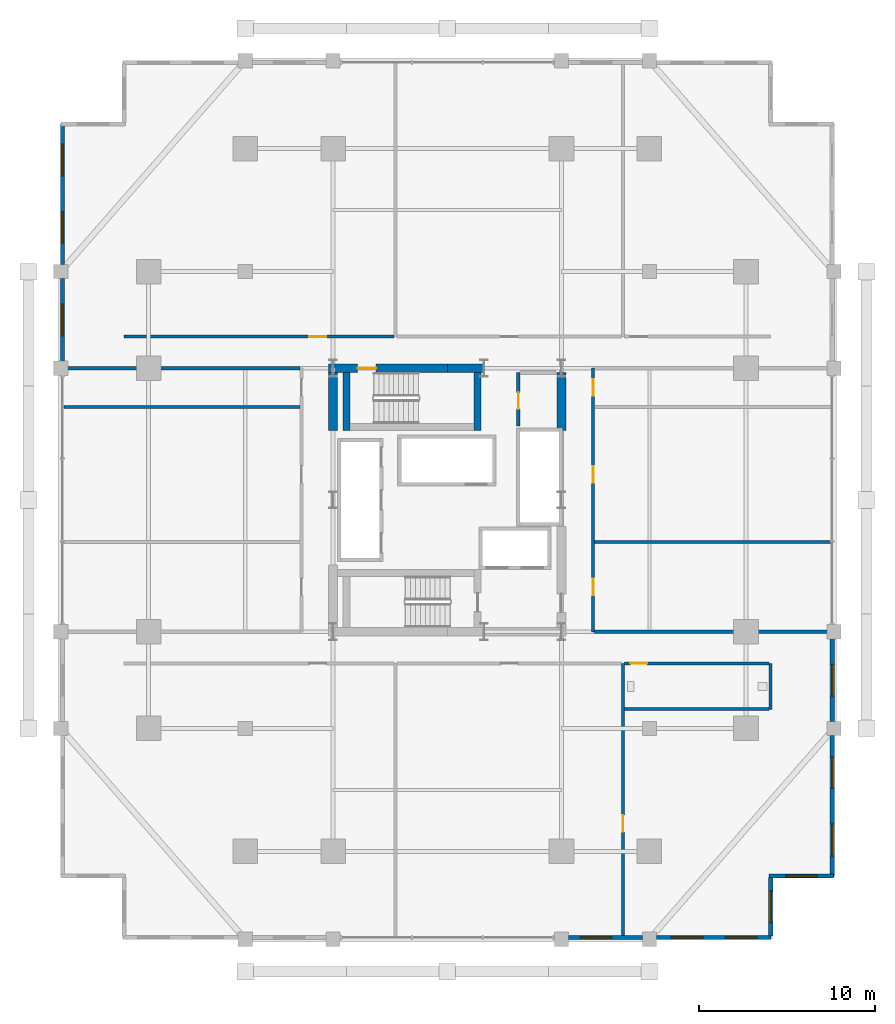
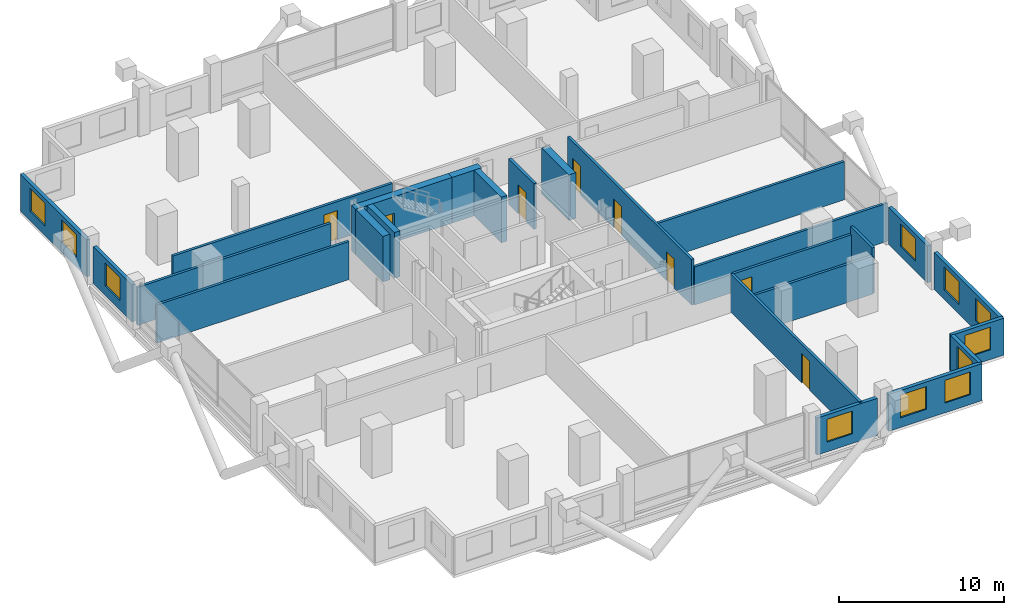
# One storey, part 18 of 21: 25 walls, 11 windows, 8 doors, 19 openings.
"""IFC4 building model written with IfcOpenShell, lengths in metres."""

import ifcopenshell
import ifcopenshell.guid

model = None  # the IFC model being written
_history = None  # IfcOwnerHistory: only IFC2X3 demands one
_inside = {}  # id of a spatial element -> (the spatial element, [elements in it])
_under = {}  # id of a project, library or spatial element -> (it, [spatial elements below it])
_declared = {}  # id of a project -> (the project, [libraries it declares])
_typed = {}  # id of a type object -> (the type object, [elements of that type])
_made_of = {}  # id of a material, layer set ... -> (it, [elements and type objects made of it])


def new_model(schema):
    """Start an empty IFC model of exactly this schema.

    Asked for "IFC4X3", IfcOpenShell would pick the latest addendum, in which some entities
    have other attributes; the version numbers below select the first issue.
    IFC2X3 requires an IfcOwnerHistory on every rooted entity: one is made here for all.
    """
    global model, _history
    if schema == "IFC4X3":
        model = ifcopenshell.file(schema_version=(4, 3, 0, 0))
    else:
        model = ifcopenshell.file(schema=schema)
    _inside.clear()
    _under.clear()
    _declared.clear()
    _typed.clear()
    _made_of.clear()
    _history = None
    if model.schema == "IFC2X3":
        org = make("IfcOrganization", Name="unknown")
        user = make(
            "IfcPersonAndOrganization",
            ThePerson=make("IfcPerson", FamilyName="unknown"),
            TheOrganization=org,
        )
        app = make(
            "IfcApplication",
            ApplicationDeveloper=org,
            Version="unknown",
            ApplicationFullName="unknown",
            ApplicationIdentifier="unknown",
        )
        _history = make(
            "IfcOwnerHistory",
            OwningUser=user,
            OwningApplication=app,
            ChangeAction="ADDED",
            CreationDate=0,
        )
    return model


def make(cls, **values):
    """One entity of the class cls with the attributes given. An attribute that is None is left unset."""
    return model.create_entity(
        cls, **{name: value for name, value in values.items() if value is not None}
    )


def rooted(cls, **values):
    """An entity with a GlobalId (a new one), such as an element, a storey or a relation."""
    return make(cls, GlobalId=ifcopenshell.guid.new(), OwnerHistory=_history, **values)


def si_unit(unit_type, name, prefix=None):
    """IfcSIUnit, for example si_unit("LENGTHUNIT", "METRE", prefix="MILLI")."""
    return make("IfcSIUnit", UnitType=unit_type, Prefix=prefix, Name=name)


def assignment(units):
    """IfcUnitAssignment: the units of a project."""
    return None if units is None else make("IfcUnitAssignment", Units=units)


def point(xyz):
    """IfcCartesianPoint."""
    return None if xyz is None else make("IfcCartesianPoint", Coordinates=xyz)


def direction(xyz):
    """IfcDirection."""
    return None if xyz is None else make("IfcDirection", DirectionRatios=xyz)


def frame(location, z_axis=None, x_axis=None):
    """IfcAxis2Placement3D, a coordinate frame: its origin and axes. An axis left out is left unset."""
    return make(
        "IfcAxis2Placement3D",
        Location=point(location),
        Axis=direction(z_axis),
        RefDirection=direction(x_axis),
    )


def frame_2d(location, x_axis=None):
    """IfcAxis2Placement2D, a coordinate frame in the plane: its origin and x axis."""
    return make(
        "IfcAxis2Placement2D", Location=point(location), RefDirection=direction(x_axis)
    )


def origin():
    """The frame at (0, 0, 0) with its axes left unset."""
    return frame((0.0, 0.0, 0.0))


def place(relative_to, where):
    """IfcLocalPlacement: puts the frame where relative to a parent placement (None: the world)."""
    return make(
        "IfcLocalPlacement", PlacementRelTo=relative_to, RelativePlacement=where
    )


def context(
    kind, dimensions, precision=None, world=None, true_north=None, identifier=None
):
    """IfcGeometricRepresentationContext, for example the 3D "Model" context."""
    return make(
        "IfcGeometricRepresentationContext",
        ContextIdentifier=identifier,
        ContextType=kind,
        CoordinateSpaceDimension=dimensions,
        Precision=precision,
        WorldCoordinateSystem=world,
        TrueNorth=true_north,
    )


def subcontext(parent, identifier, kind, view, scale=None):
    """IfcGeometricRepresentationSubContext, for example "Body" below "Model"."""
    return make(
        "IfcGeometricRepresentationSubContext",
        ContextIdentifier=identifier,
        ContextType=kind,
        ParentContext=parent,
        TargetScale=scale,
        TargetView=view,
    )


def project(units=None, contexts=None):
    """IfcProject with its units and contexts."""
    return rooted(
        "IfcProject",
        Name="project",
        RepresentationContexts=contexts,
        UnitsInContext=assignment(units),
    )


def spatial(cls, under=None, at=None, **own):
    """A site, building, storey or space (cls), placed at a placement, below another one or the project."""
    s = rooted(cls, ObjectPlacement=at, **own)
    if under is not None:
        _under.setdefault(under.id(), (under, []))[1].append(s)
    return s


def profile(cls, at=None, kind="AREA", **sizes):
    """A parametric profile (cls). Its sizes go by their IFC names, for example OverallWidth=200.0."""
    return make(cls, ProfileType=kind, Position=at, **sizes)


def rectangle(**sizes):
    """IfcRectangleProfileDef."""
    return profile("IfcRectangleProfileDef", **sizes)


def extrude(swept, where, along, depth):
    """IfcExtrudedAreaSolid: the profile swept, set in the frame where, extruded along a direction by depth."""
    return make(
        "IfcExtrudedAreaSolid",
        SweptArea=swept,
        Position=where,
        ExtrudedDirection=direction(along),
        Depth=depth,
    )


def shape(context_of_items, identifier, shape_type, items):
    """IfcShapeRepresentation: the items that make up one representation, for example the "Body"."""
    return make(
        "IfcShapeRepresentation",
        ContextOfItems=context_of_items,
        RepresentationIdentifier=identifier,
        RepresentationType=shape_type,
        Items=items,
    )


def material(Name=None, Category=None):
    """IfcMaterial."""
    return make("IfcMaterial", Name=Name, Category=Category)


def layer(
    of_material, thickness, ventilated=None, Name=None, Category=None, Priority=None
):
    """IfcMaterialLayer: one layer of a wall or slab, of a material (None: an air gap)."""
    return make(
        "IfcMaterialLayer",
        Material=of_material,
        LayerThickness=thickness,
        IsVentilated=ventilated,
        Name=Name,
        Category=Category,
        Priority=Priority,
    )


def layer_set(layers, Name=None):
    """IfcMaterialLayerSet."""
    return make("IfcMaterialLayerSet", MaterialLayers=layers, LayerSetName=Name)


def made_of(thing, what):
    """Note that an element or type object is made of a material, layer set ...; save() writes the relation."""
    if what is not None:
        _made_of.setdefault(what.id(), (what, []))[1].append(thing)
    return thing


def type_object(cls, material=None, **own):
    """A type object (cls), such as IfcWallType, which elements share."""
    return made_of(rooted(cls, **own), material)


def element(
    cls,
    number,
    at=None,
    inside=None,
    cuts=None,
    type_object=None,
    material=None,
    context=None,
    identifier="Body",
    shape_type=None,
    held_by="IfcProductDefinitionShape",
    body=None,
    shapes=None,
    **own,
):
    """One element of the class cls, such as IfcWall. Its Tag is "e" and its number.

    at: its placement. inside: the storey or other place that contains it. cuts: it is an
    opening in that element (IfcRelVoidsElement). A single representation is given by context,
    identifier, shape_type and body (its items); several are given by shapes. held_by: the class
    of the entity that holds the representations. save() writes the other relations.
    """
    e = rooted(cls, Tag="e%d" % number, ObjectPlacement=at, **own)
    if body is not None:
        shapes = [shape(context, identifier, shape_type, body)]
    if shapes is not None:
        e.Representation = make(held_by, Representations=shapes)
    if inside is not None:
        _inside.setdefault(inside.id(), (inside, []))[1].append(e)
    if cuts is not None:
        rooted(
            "IfcRelVoidsElement", RelatingBuildingElement=cuts, RelatedOpeningElement=e
        )
    if type_object is not None:
        _typed.setdefault(type_object.id(), (type_object, []))[1].append(e)
    return made_of(e, material)


def fill(opening, filler):
    """IfcRelFillsElement: the door or window that sits in an opening."""
    return rooted(
        "IfcRelFillsElement",
        RelatingOpeningElement=opening,
        RelatedBuildingElement=filler,
    )


def aggregate(whole, parts):
    """IfcRelAggregates: a whole, such as a stair, and the parts it consists of."""
    return rooted("IfcRelAggregates", RelatingObject=whole, RelatedObjects=parts)


def save(model, path):
    """Write the relations noted so far, then the file.

    IfcRelAggregates (storeys below a building ...), IfcRelContainedInSpatialStructure (elements
    in a storey), IfcRelDefinesByType, IfcRelAssociatesMaterial and IfcRelDeclares: one each for
    every whole, place, type object, material and project.
    """
    for whole, parts in _under.values():
        aggregate(whole, parts)
    for where, things in _inside.values():
        rooted(
            "IfcRelContainedInSpatialStructure",
            RelatedElements=things,
            RelatingStructure=where,
        )
    for kind, things in _typed.values():
        rooted("IfcRelDefinesByType", RelatedObjects=things, RelatingType=kind)
    for what, things in _made_of.values():
        rooted("IfcRelAssociatesMaterial", RelatedObjects=things, RelatingMaterial=what)
    for by, libraries in _declared.values():
        rooted("IfcRelDeclares", RelatingContext=by, RelatedDefinitions=libraries)
    model.write(path)


model = new_model("IFC4")

# Units and contexts
model_context = context("Model", 3, precision=1e-05, world=origin(), true_north=direction((0.0, 1.0)))
body_context = subcontext(model_context, "Body", "Model", "MODEL_VIEW")
ifc_project = project(units=[si_unit("LENGTHUNIT", "METRE"), si_unit("AREAUNIT", "SQUARE_METRE"), si_unit("VOLUMEUNIT", "CUBIC_METRE"), si_unit("PLANEANGLEUNIT", "RADIAN"), si_unit("MASSUNIT", "GRAM", prefix="KILO")], contexts=[model_context])

# Site, building, storey
site_placement = place(None, origin())
site = spatial("IfcSite", under=ifc_project, at=site_placement, CompositionType="ELEMENT")
building_placement = place(site_placement, origin())
building = spatial("IfcBuilding", under=site, at=building_placement, Name="Barlavira Tower and Art Museum", CompositionType="ELEMENT")
storey_placement = place(building_placement, frame((0.0, 0.0, 79.199951171875)))
storey = spatial("IfcBuildingStorey", under=building, at=storey_placement, Name="L19", CompositionType="ELEMENT", Elevation=79.199951171875)

# Wall, opening, door
ifc_material_1 = material(Name="Concrete C60", Category="concrete")
ifc_layer_1 = layer(ifc_material_1, 0.5, Name="Concrete C60")
ifc_layer_set_1 = layer_set([ifc_layer_1], Name="Concrete C60")
wall_type_1 = type_object("IfcWallType", Name="Core Structural Shear Wall 500 Concrete C60", PredefinedType="SHEAR", material=ifc_layer_set_1)
wall_1_placement = place(storey_placement, frame((-6.75, 7.5, 0.0), z_axis=(0.0, 0.0, 1.0), x_axis=(1.0, 0.0, 0.0)))
wall_1 = element("IfcWall", 1, at=wall_1_placement, inside=storey, type_object=wall_type_1, Name="L19 Core Shear Wall CS-NW", PredefinedType="SHEAR", context=body_context, shape_type="SweptSolid", body=[
    extrude(rectangle(XDim=6.75, YDim=0.5, at=frame_2d((3.375, 0.0))), origin(), (0.0, 0.0, 1.0), 3.380126953125),
])
opening_1_placement = place(wall_1_placement, frame((1.64990234375, 0.0, 0.0)))
opening_1 = element("IfcOpeningElement", 2, at=opening_1_placement, cuts=wall_1, Name="Opening FD-90", PredefinedType="OPENING", context=body_context, shape_type="SweptSolid", body=[
    extrude(rectangle(XDim=1.050048828125, YDim=2.14990234375, at=frame_2d((0.52490234375, 1.074951171875))), frame((0.0, 0.260009765625, 0.0), z_axis=(0.0, -1.0, 0.0), x_axis=(1.0, 0.0, 0.0)), (0.0, 0.0, 1.0), 0.52001953125),
])
ifc_material_2 = material(Name="Brushed stainless steel", Category="steel")
door_type_1 = type_object("IfcDoorType", Name="Stair and Refuge Fire Door 1050x2150 FD90S", OperationType="NOTDEFINED", PredefinedType="DOOR", material=ifc_material_2)
door_1_placement = place(opening_1_placement, origin())
door_1 = element("IfcDoor", 3, at=door_1_placement, inside=storey, type_object=door_type_1, Name="L19 Stair ST-T2 Fire Door", OperationType="SINGLE_SWING_LEFT", OverallHeight=2.14990234375, OverallWidth=1.050048828125, PredefinedType="DOOR", context=body_context, shape_type="SweptSolid", body=[
    extrude(rectangle(XDim=1.050048828125, YDim=2.14990234375, at=frame_2d((0.52490234375, 1.074951171875))), frame((0.0, 0.02490234375, 0.0), z_axis=(0.0, -1.0, 0.0), x_axis=(1.0, 0.0, 0.0)), (0.0, 0.0, 1.0), 0.050048828125),
])
fill(opening_1, door_1)

# Walls
wall_2_placement = place(storey_placement, frame((0.0, 7.5, 0.0), z_axis=(0.0, 0.0, 1.0), x_axis=(1.0, 0.0, 0.0)))
element("IfcWall", 4, at=wall_2_placement, inside=storey, type_object=wall_type_1, Name="L19 Core Shear Wall CS-EN", PredefinedType="SHEAR", context=body_context, shape_type="SweptSolid", body=[
    extrude(rectangle(XDim=2.080078125, YDim=0.5, at=frame_2d((1.0400390625, 0.0))), origin(), (0.0, 0.0, 1.0), 3.380126953125),
])
for number, where, z_axis, x_axis, name in (
    (5, (-6.5, 3.949951171875, 0.0), (0.0, 0.0, 1.0), (0.0, 1.0, 0.0), "L19 Core Shear Wall CS-W2"),
    (6, (6.5, 3.949951171875, 0.0), (0.0, 0.0, 1.0), (0.0, 1.0, 0.0), "L19 Core Shear Wall CS-E2"),
):
    element("IfcWall", number, at=place(storey_placement, frame(where, z_axis=z_axis, x_axis=x_axis)), inside=storey, type_object=wall_type_1, Name=name, PredefinedType="SHEAR", context=body_context, shape_type="SweptSolid", body=[
        extrude(rectangle(XDim=3.300048828125, YDim=0.5, at=frame_2d((1.64990234375, 0.0))), origin(), (0.0, 0.0, 1.0), 3.380126953125),
    ])

# Wall, opening, door
ifc_material_3 = material(Name="Autoclaved aerated concrete masonry", Category="masonry")
ifc_layer_2 = layer(ifc_material_3, 0.199951171875, Name="Autoclaved aerated concrete masonry")
ifc_layer_set_2 = layer_set([ifc_layer_2], Name="Autoclaved aerated concrete masonry")
wall_type_2 = type_object("IfcWallType", Name="Fire Compartment and Shaft Wall 200", PredefinedType="SOLIDWALL", material=ifc_layer_set_2)
wall_3_placement = place(storey_placement, frame((4.050048828125, 4.199951171875, 0.0), z_axis=(0.0, 0.0, 1.0), x_axis=(0.0, 1.0, 0.0)))
wall_3 = element("IfcWall", 7, at=wall_3_placement, inside=storey, type_object=wall_type_2, Name="L19 Partition Wall 4", PredefinedType="SOLIDWALL", context=body_context, shape_type="SweptSolid", body=[
    extrude(rectangle(XDim=3.050048828125, YDim=0.199951171875, at=frame_2d((1.52490234375, 0.0))), origin(), (0.0, 0.0, 1.0), 3.380126953125),
])
opening_2_placement = place(wall_3_placement, frame((0.97509765625, 0.0, 0.0)))
opening_2 = element("IfcOpeningElement", 8, at=opening_2_placement, cuts=wall_3, Name="Opening FD-60", PredefinedType="OPENING", context=body_context, shape_type="SweptSolid", body=[
    extrude(rectangle(XDim=0.949951171875, YDim=2.14990234375, at=frame_2d((0.47509765625, 1.074951171875))), frame((0.0, 0.10986328125, 0.0), z_axis=(0.0, -1.0, 0.0), x_axis=(1.0, 0.0, 0.0)), (0.0, 0.0, 1.0), 0.219970703125),
])
door_type_2 = type_object("IfcDoorType", Name="Apartment Entrance and Riser Fire Door 950x2150 FD60S", OperationType="NOTDEFINED", PredefinedType="DOOR", material=ifc_material_2)
door_2_placement = place(opening_2_placement, origin())
door_2 = element("IfcDoor", 9, at=door_2_placement, inside=storey, type_object=door_type_2, Name="Combined Electrical and Telecom Plant Room Door", OperationType="SINGLE_SWING_RIGHT", OverallHeight=2.14990234375, OverallWidth=0.949951171875, PredefinedType="DOOR", context=body_context, shape_type="SweptSolid", body=[
    extrude(rectangle(XDim=0.949951171875, YDim=2.14990234375, at=frame_2d((0.47509765625, 1.074951171875))), frame((0.0, 0.02490234375, 0.0), z_axis=(0.0, -1.0, 0.0), x_axis=(1.0, 0.0, 0.0)), (0.0, 0.0, 1.0), 0.050048828125),
])
fill(opening_2, door_2)

# Wall, openings, doors
ifc_material_4 = material(Name="Gypsum acoustic stud partition", Category="gypsum")
ifc_layer_3 = layer(ifc_material_4, 0.179931640625, Name="Gypsum acoustic stud partition")
ifc_layer_set_3 = layer_set([ifc_layer_3], Name="Gypsum acoustic stud partition")
wall_type_3 = type_object("IfcWallType", Name="Inter-Tenancy Party Partition Wall 180", PredefinedType="PARTITIONING", material=ifc_layer_set_3)
wall_4_placement = place(storey_placement, frame((8.300048828125, -7.5, 0.0), z_axis=(0.0, 0.0, 1.0), x_axis=(0.0, 1.0, 0.0)))
wall_4 = element("IfcWall", 10, at=wall_4_placement, inside=storey, type_object=wall_type_3, Name="L19 Partition Wall 5", PredefinedType="PARTITIONING", context=body_context, shape_type="SweptSolid", body=[
    extrude(rectangle(XDim=15.0, YDim=0.179931640625, at=frame_2d((7.5, 0.0))), origin(), (0.0, 0.0, 1.0), 3.380126953125),
])
opening_3_placement = place(wall_4_placement, frame((2.074951171875, 0.0, 0.0)))
opening_3 = element("IfcOpeningElement", 11, at=opening_3_placement, cuts=wall_4, Name="Opening FD-60", PredefinedType="OPENING", context=body_context, shape_type="SweptSolid", body=[
    extrude(rectangle(XDim=0.949951171875, YDim=2.14990234375, at=frame_2d((0.47509765625, 1.074951171875))), frame((0.0, 0.10009765625, 0.0), z_axis=(0.0, -1.0, 0.0), x_axis=(1.0, 0.0, 0.0)), (0.0, 0.0, 1.0), 0.199951171875),
])
opening_4_placement = place(wall_4_placement, frame((8.47509765625, 0.0, 0.0)))
opening_4 = element("IfcOpeningElement", 12, at=opening_4_placement, cuts=wall_4, Name="Opening FD-60", PredefinedType="OPENING", context=body_context, shape_type="SweptSolid", body=[
    extrude(rectangle(XDim=0.949951171875, YDim=2.14990234375, at=frame_2d((0.47509765625, 1.074951171875))), frame((0.0, 0.10009765625, 0.0), z_axis=(0.0, -1.0, 0.0), x_axis=(1.0, 0.0, 0.0)), (0.0, 0.0, 1.0), 0.199951171875),
])
opening_5_placement = place(wall_4_placement, frame((13.425048828125, 0.0, 0.0)))
opening_5 = element("IfcOpeningElement", 13, at=opening_5_placement, cuts=wall_4, Name="Opening FD-60", PredefinedType="OPENING", context=body_context, shape_type="SweptSolid", body=[
    extrude(rectangle(XDim=0.949951171875, YDim=2.14990234375, at=frame_2d((0.47509765625, 1.074951171875))), frame((0.0, 0.10009765625, 0.0), z_axis=(0.0, -1.0, 0.0), x_axis=(1.0, 0.0, 0.0)), (0.0, 0.0, 1.0), 0.199951171875),
])
door_3_placement = place(opening_3_placement, origin())
door_3 = element("IfcDoor", 14, at=door_3_placement, inside=storey, type_object=door_type_2, Name="Resident Sky Coworking Studio Door", OperationType="SINGLE_SWING_LEFT", OverallHeight=2.14990234375, OverallWidth=0.949951171875, PredefinedType="DOOR", context=body_context, shape_type="SweptSolid", body=[
    extrude(rectangle(XDim=0.949951171875, YDim=2.14990234375, at=frame_2d((0.47509765625, 1.074951171875))), frame((0.0, 0.02490234375, 0.0), z_axis=(0.0, -1.0, 0.0), x_axis=(1.0, 0.0, 0.0)), (0.0, 0.0, 1.0), 0.050048828125),
])
fill(opening_3, door_3)
door_4_placement = place(opening_4_placement, origin())
door_4 = element("IfcDoor", 15, at=door_4_placement, inside=storey, type_object=door_type_2, Name="Atlantic Horizon Boardroom Door", OperationType="SINGLE_SWING_RIGHT", OverallHeight=2.14990234375, OverallWidth=0.949951171875, PredefinedType="DOOR", context=body_context, shape_type="SweptSolid", body=[
    extrude(rectangle(XDim=0.949951171875, YDim=2.14990234375, at=frame_2d((0.47509765625, 1.074951171875))), frame((0.0, 0.02490234375, 0.0), z_axis=(0.0, -1.0, 0.0), x_axis=(1.0, 0.0, 0.0)), (0.0, 0.0, 1.0), 0.050048828125),
])
fill(opening_4, door_4)
door_5_placement = place(opening_5_placement, origin())
door_5 = element("IfcDoor", 16, at=door_5_placement, inside=storey, type_object=door_type_2, Name="Shared Coworking Espresso Pantry Door", OperationType="SINGLE_SWING_LEFT", OverallHeight=2.14990234375, OverallWidth=0.949951171875, PredefinedType="DOOR", context=body_context, shape_type="SweptSolid", body=[
    extrude(rectangle(XDim=0.949951171875, YDim=2.14990234375, at=frame_2d((0.47509765625, 1.074951171875))), frame((0.0, 0.02490234375, 0.0), z_axis=(0.0, -1.0, 0.0), x_axis=(1.0, 0.0, 0.0)), (0.0, 0.0, 1.0), 0.050048828125),
])
fill(opening_5, door_5)

# Wall, opening, door
wall_5_placement = place(storey_placement, frame((10.0, -24.89990234375, 0.0), z_axis=(0.0, 0.0, 1.0), x_axis=(0.0, 1.0, 0.0)))
wall_5 = element("IfcWall", 17, at=wall_5_placement, inside=storey, type_object=wall_type_3, Name="L19 Partition Wall 6", PredefinedType="PARTITIONING", context=body_context, shape_type="SweptSolid", body=[
    extrude(rectangle(XDim=15.599853515625, YDim=0.179931640625, at=frame_2d((7.7998046875, 0.0))), origin(), (0.0, 0.0, 1.0), 2.816162109375),
])
opening_6_placement = place(wall_5_placement, frame((6.014892578125, 0.0, 0.0)))
opening_6 = element("IfcOpeningElement", 18, at=opening_6_placement, cuts=wall_5, Name="Opening FD-60", PredefinedType="OPENING", context=body_context, shape_type="SweptSolid", body=[
    extrude(rectangle(XDim=0.949951171875, YDim=2.14990234375, at=frame_2d((0.47509765625, 1.074951171875))), frame((0.0, 0.10009765625, 0.0), z_axis=(0.0, -1.0, 0.0), x_axis=(1.0, 0.0, 0.0)), (0.0, 0.0, 1.0), 0.199951171875),
])
door_6_placement = place(opening_6_placement, origin())
door_6 = element("IfcDoor", 19, at=door_6_placement, inside=storey, type_object=door_type_2, Name="Thermal Relaxation Lounge Door", OperationType="SINGLE_SWING_RIGHT", OverallHeight=2.14990234375, OverallWidth=0.949951171875, PredefinedType="DOOR", context=body_context, shape_type="SweptSolid", body=[
    extrude(rectangle(XDim=0.949951171875, YDim=2.14990234375, at=frame_2d((0.47509765625, 1.074951171875))), frame((0.0, 0.02490234375, 0.0), z_axis=(0.0, -1.0, 0.0), x_axis=(1.0, 0.0, 0.0)), (0.0, 0.0, 1.0), 0.050048828125),
])
fill(opening_6, door_6)

# Walls
wall_6_placement = place(storey_placement, frame((18.39990234375, -11.919921875, 0.0), z_axis=(0.0, 0.0, 1.0), x_axis=(0.0, 1.0, 0.0)))
element("IfcWall", 20, at=wall_6_placement, inside=storey, type_object=wall_type_3, Name="L19 Partition Wall 8", PredefinedType="PARTITIONING", context=body_context, shape_type="SweptSolid", body=[
    extrude(rectangle(XDim=2.619873046875, YDim=0.179931640625, at=frame_2d((1.31005859375, 0.0))), origin(), (0.0, 0.0, 1.0), 3.380126953125),
])
wall_7_placement = place(storey_placement, frame((10.080078125, -11.89990234375, 0.0), z_axis=(0.0, 0.0, 1.0), x_axis=(1.0, 0.0, 0.0)))
element("IfcWall", 21, at=wall_7_placement, inside=storey, type_object=wall_type_3, Name="L19 Partition Wall 9", PredefinedType="PARTITIONING", context=body_context, shape_type="SweptSolid", body=[
    extrude(rectangle(XDim=8.239990234375, YDim=0.179931640625, at=frame_2d((4.1201171875, 0.0))), origin(), (0.0, 0.0, 1.0), 2.816162109375),
])

# Wall, opening, door
wall_8_placement = place(storey_placement, frame((10.080078125, -9.300048828125, 0.0), z_axis=(0.0, 0.0, 1.0), x_axis=(1.0, 0.0, 0.0)))
wall_8 = element("IfcWall", 22, at=wall_8_placement, inside=storey, type_object=wall_type_3, Name="L19 Partition Wall 12", PredefinedType="PARTITIONING", context=body_context, shape_type="SweptSolid", body=[
    extrude(rectangle(XDim=8.239990234375, YDim=0.179931640625, at=frame_2d((4.1201171875, 0.0))), origin(), (0.0, 0.0, 1.0), 2.816162109375),
])
opening_7_placement = place(wall_8_placement, frame((0.344970703125, 0.0, 0.0)))
opening_7 = element("IfcOpeningElement", 23, at=opening_7_placement, cuts=wall_8, Name="Opening FD-60", PredefinedType="OPENING", context=body_context, shape_type="SweptSolid", body=[
    extrude(rectangle(XDim=0.949951171875, YDim=2.14990234375, at=frame_2d((0.47509765625, 1.074951171875))), frame((0.0, 0.10009765625, 0.0), z_axis=(0.0, -1.0, 0.0), x_axis=(1.0, 0.0, 0.0)), (0.0, 0.0, 1.0), 0.199951171875),
])
door_7_placement = place(opening_7_placement, origin())
door_7 = element("IfcDoor", 24, at=door_7_placement, inside=storey, type_object=door_type_2, Name="Wellness Changing and Accessible Shower WC Door", OperationType="SINGLE_SWING_LEFT", OverallHeight=2.14990234375, OverallWidth=0.949951171875, PredefinedType="DOOR", context=body_context, shape_type="SweptSolid", body=[
    extrude(rectangle(XDim=0.949951171875, YDim=2.14990234375, at=frame_2d((0.47509765625, 1.074951171875))), frame((0.0, 0.02490234375, 0.0), z_axis=(0.0, -1.0, 0.0), x_axis=(1.0, 0.0, 0.0)), (0.0, 0.0, 1.0), 0.050048828125),
])
fill(opening_7, door_7)

# Walls
wall_9_placement = place(storey_placement, frame((8.3798828125, -7.5, 0.0), z_axis=(0.0, 0.0, 1.0), x_axis=(1.0, 0.0, 0.0)))
element("IfcWall", 25, at=wall_9_placement, inside=storey, type_object=wall_type_3, Name="L19 Partition Wall 14", PredefinedType="PARTITIONING", context=body_context, shape_type="SweptSolid", body=[
    extrude(rectangle(XDim=13.52001953125, YDim=0.179931640625, at=frame_2d((6.760009765625, 0.0))), origin(), (0.0, 0.0, 1.0), 2.816162109375),
])
for number, where, z_axis, x_axis, name in (
    (26, (8.3798828125, -2.39990234375, 0.0), (0.0, 0.0, 1.0), (1.0, 0.0, 0.0), "L19 Partition Wall 16"),
    (27, (-21.820068359375, 5.300048828125, 0.0), (0.0, 0.0, 1.0), (1.0, 0.0, 0.0), "L19 Partition Wall 17"),
):
    element("IfcWall", number, at=place(storey_placement, frame(where, z_axis=z_axis, x_axis=x_axis)), inside=storey, type_object=wall_type_3, Name=name, PredefinedType="PARTITIONING", context=body_context, shape_type="SweptSolid", body=[
        extrude(rectangle(XDim=13.440185546875, YDim=0.179931640625, at=frame_2d((6.72021484375, 0.0))), origin(), (0.0, 0.0, 1.0), 2.816162109375),
    ])
wall_10_placement = place(storey_placement, frame((-21.89990234375, 7.5, 0.0), z_axis=(0.0, 0.0, 1.0), x_axis=(1.0, 0.0, 0.0)))
element("IfcWall", 28, at=wall_10_placement, inside=storey, type_object=wall_type_3, Name="L19 Partition Wall 20", PredefinedType="PARTITIONING", context=body_context, shape_type="SweptSolid", body=[
    extrude(rectangle(XDim=13.52001953125, YDim=0.179931640625, at=frame_2d((6.760009765625, 0.0))), origin(), (0.0, 0.0, 1.0), 2.816162109375),
])

# Wall, opening, door
wall_11_placement = place(storey_placement, frame((-18.39990234375, 9.300048828125, 0.0), z_axis=(0.0, 0.0, 1.0), x_axis=(1.0, 0.0, 0.0)))
wall_11 = element("IfcWall", 29, at=wall_11_placement, inside=storey, type_object=wall_type_3, Name="L19 Partition Wall 22", PredefinedType="PARTITIONING", context=body_context, shape_type="SweptSolid", body=[
    extrude(rectangle(XDim=15.369873046875, YDim=0.179931640625, at=frame_2d((7.68505859375, 0.0))), origin(), (0.0, 0.0, 1.0), 2.816162109375),
])
opening_8_placement = place(wall_11_placement, frame((10.554931640625, 0.0, 0.0)))
opening_8 = element("IfcOpeningElement", 30, at=opening_8_placement, cuts=wall_11, Name="Opening FD-60", PredefinedType="OPENING", context=body_context, shape_type="SweptSolid", body=[
    extrude(rectangle(XDim=0.949951171875, YDim=2.14990234375, at=frame_2d((0.47509765625, 1.074951171875))), frame((0.0, 0.10009765625, 0.0), z_axis=(0.0, -1.0, 0.0), x_axis=(1.0, 0.0, 0.0)), (0.0, 0.0, 1.0), 0.199951171875),
])
door_8_placement = place(opening_8_placement, origin())
door_8 = element("IfcDoor", 31, at=door_8_placement, inside=storey, type_object=door_type_2, Name="Resident Rare-Book Reading Room Door", OperationType="SINGLE_SWING_LEFT", OverallHeight=2.14990234375, OverallWidth=0.949951171875, PredefinedType="DOOR", context=body_context, shape_type="SweptSolid", body=[
    extrude(rectangle(XDim=0.949951171875, YDim=2.14990234375, at=frame_2d((0.47509765625, 1.074951171875))), frame((0.0, 0.02490234375, 0.0), z_axis=(0.0, -1.0, 0.0), x_axis=(1.0, 0.0, 0.0)), (0.0, 0.0, 1.0), 0.050048828125),
])
fill(opening_8, door_8)

# Wall, opening, window
ifc_material_5 = material(Name="Precast concrete C40", Category="concrete")
ifc_layer_4 = layer(ifc_material_5, 0.25, Name="Precast concrete C40")
ifc_layer_set_4 = layer_set([ifc_layer_4], Name="Precast concrete C40")
wall_type_4 = type_object("IfcWallType", Name="Notched Corner Spandrel Wall 250 Precast Concrete C40", PredefinedType="SOLIDWALL", material=ifc_layer_set_4)
wall_12_placement = place(storey_placement, frame((6.89501953125, -24.89990234375, 0.0), z_axis=(0.0, 0.0, 1.0), x_axis=(1.0, 0.0, 0.0)))
wall_12 = element("IfcWall", 32, at=wall_12_placement, inside=storey, type_object=wall_type_4, Name="L19 Coastal Facade Pier Wall CW1-L19-S-4", PredefinedType="SOLIDWALL", context=body_context, shape_type="SweptSolid", body=[
    extrude(rectangle(XDim=4.2099609375, YDim=0.25, at=frame_2d((2.10498046875, 0.0))), origin(), (0.0, 0.0, 1.0), 2.736083984375),
])
opening_9_placement = place(wall_12_placement, frame((0.675048828125, 0.0, 0.719970703125)))
opening_9 = element("IfcOpeningElement", 33, at=opening_9_placement, cuts=wall_12, Name="Opening WN-01", PredefinedType="OPENING", context=body_context, shape_type="SweptSolid", body=[
    extrude(rectangle(XDim=1.800048828125, YDim=1.679931640625, at=frame_2d((0.89990234375, 0.83984375))), frame((0.0, 0.135009765625, 0.0), z_axis=(0.0, -1.0, 0.0), x_axis=(1.0, 0.0, 0.0)), (0.0, 0.0, 1.0), 0.27001953125),
])
ifc_material_6 = material(Name="Low-iron coastal laminated glass", Category="glass")
window_type = type_object("IfcWindowType", Name="Recessed Notch Corner Punch Window 1800x1680", PartitioningType="SINGLE_PANEL", PredefinedType="WINDOW", material=ifc_material_6)
window_1_placement = place(opening_9_placement, origin())
window_1 = element("IfcWindow", 34, at=window_1_placement, inside=storey, type_object=window_type, Name="L19 Punched Facade Window EWP-CW1-L19-S-4-1", OverallHeight=1.679931640625, OverallWidth=1.800048828125, PartitioningType="SINGLE_PANEL", PredefinedType="WINDOW", context=body_context, shape_type="SweptSolid", body=[
    extrude(rectangle(XDim=1.800048828125, YDim=1.679931640625, at=frame_2d((0.89990234375, 0.83984375))), frame((0.0, 0.030029296875, 0.0), z_axis=(0.0, -1.0, 0.0), x_axis=(1.0, 0.0, 0.0)), (0.0, 0.0, 1.0), 0.06005859375),
])
fill(opening_9, window_1)

# Wall, openings, windows
wall_13_placement = place(storey_placement, frame((11.89501953125, -24.89990234375, 0.0), z_axis=(0.0, 0.0, 1.0), x_axis=(1.0, 0.0, 0.0)))
wall_13 = element("IfcWall", 35, at=wall_13_placement, inside=storey, type_object=wall_type_4, Name="L19 Coastal Facade Pier Wall CW1-L19-S-5", PredefinedType="SOLIDWALL", context=body_context, shape_type="SweptSolid", body=[
    extrude(rectangle(XDim=6.530029296875, YDim=0.25, at=frame_2d((3.26513671875, 0.0))), origin(), (0.0, 0.0, 1.0), 2.736083984375),
])
opening_10_placement = place(wall_13_placement, frame((0.845947265625, 0.0, 0.719970703125)))
opening_10 = element("IfcOpeningElement", 36, at=opening_10_placement, cuts=wall_13, Name="Opening WN-01", PredefinedType="OPENING", context=body_context, shape_type="SweptSolid", body=[
    extrude(rectangle(XDim=1.800048828125, YDim=1.679931640625, at=frame_2d((0.89990234375, 0.83984375))), frame((0.0, 0.135009765625, 0.0), z_axis=(0.0, -1.0, 0.0), x_axis=(1.0, 0.0, 0.0)), (0.0, 0.0, 1.0), 0.27001953125),
])
opening_11_placement = place(wall_13_placement, frame((3.928955078125, 0.0, 0.719970703125)))
opening_11 = element("IfcOpeningElement", 37, at=opening_11_placement, cuts=wall_13, Name="Opening WN-01", PredefinedType="OPENING", context=body_context, shape_type="SweptSolid", body=[
    extrude(rectangle(XDim=1.800048828125, YDim=1.679931640625, at=frame_2d((0.89990234375, 0.83984375))), frame((0.0, 0.135009765625, 0.0), z_axis=(0.0, -1.0, 0.0), x_axis=(1.0, 0.0, 0.0)), (0.0, 0.0, 1.0), 0.27001953125),
])
window_2_placement = place(opening_10_placement, origin())
window_2 = element("IfcWindow", 38, at=window_2_placement, inside=storey, type_object=window_type, Name="L19 Punched Facade Window EWP-CW1-L19-S-5-1", OverallHeight=1.679931640625, OverallWidth=1.800048828125, PartitioningType="SINGLE_PANEL", PredefinedType="WINDOW", context=body_context, shape_type="SweptSolid", body=[
    extrude(rectangle(XDim=1.800048828125, YDim=1.679931640625, at=frame_2d((0.89990234375, 0.83984375))), frame((0.0, 0.030029296875, 0.0), z_axis=(0.0, -1.0, 0.0), x_axis=(1.0, 0.0, 0.0)), (0.0, 0.0, 1.0), 0.06005859375),
])
fill(opening_10, window_2)
window_3_placement = place(opening_11_placement, origin())
window_3 = element("IfcWindow", 39, at=window_3_placement, inside=storey, type_object=window_type, Name="L19 Punched Facade Window EWP-CW1-L19-S-5-2", OverallHeight=1.679931640625, OverallWidth=1.800048828125, PartitioningType="SINGLE_PANEL", PredefinedType="WINDOW", context=body_context, shape_type="SweptSolid", body=[
    extrude(rectangle(XDim=1.800048828125, YDim=1.679931640625, at=frame_2d((0.89990234375, 0.83984375))), frame((0.0, 0.030029296875, 0.0), z_axis=(0.0, -1.0, 0.0), x_axis=(1.0, 0.0, 0.0)), (0.0, 0.0, 1.0), 0.06005859375),
])
fill(opening_11, window_3)

wall_14_placement = place(storey_placement, frame((-21.89990234375, 21.425048828125, 0.0), z_axis=(0.0, 0.0, 1.0), x_axis=(0.0, -1.0, 0.0)))
wall_14 = element("IfcWall", 40, at=wall_14_placement, inside=storey, type_object=wall_type_4, Name="L19 Coastal Facade Pier Wall CW1-L19-W-1", PredefinedType="SOLIDWALL", context=body_context, shape_type="SweptSolid", body=[
    extrude(rectangle(XDim=8.030029296875, YDim=0.25, at=frame_2d((4.01513671875, 0.0))), origin(), (0.0, 0.0, 1.0), 2.736083984375),
])
opening_12_placement = place(wall_14_placement, frame((1.176025390625, 0.0, 0.719970703125)))
opening_12 = element("IfcOpeningElement", 41, at=opening_12_placement, cuts=wall_14, Name="Opening WN-01", PredefinedType="OPENING", context=body_context, shape_type="SweptSolid", body=[
    extrude(rectangle(XDim=1.800048828125, YDim=1.679931640625, at=frame_2d((0.89990234375, 0.83984375))), frame((0.0, 0.135009765625, 0.0), z_axis=(0.0, -1.0, 0.0), x_axis=(1.0, 0.0, 0.0)), (0.0, 0.0, 1.0), 0.27001953125),
])
opening_13_placement = place(wall_14_placement, frame((5.009033203125, 0.0, 0.719970703125)))
opening_13 = element("IfcOpeningElement", 42, at=opening_13_placement, cuts=wall_14, Name="Opening WN-01", PredefinedType="OPENING", context=body_context, shape_type="SweptSolid", body=[
    extrude(rectangle(XDim=1.800048828125, YDim=1.679931640625, at=frame_2d((0.89990234375, 0.83984375))), frame((0.0, 0.135009765625, 0.0), z_axis=(0.0, -1.0, 0.0), x_axis=(1.0, 0.0, 0.0)), (0.0, 0.0, 1.0), 0.27001953125),
])
window_4_placement = place(opening_12_placement, origin())
window_4 = element("IfcWindow", 43, at=window_4_placement, inside=storey, type_object=window_type, Name="L19 Punched Facade Window EWP-CW1-L19-W-1-1", OverallHeight=1.679931640625, OverallWidth=1.800048828125, PartitioningType="SINGLE_PANEL", PredefinedType="WINDOW", context=body_context, shape_type="SweptSolid", body=[
    extrude(rectangle(XDim=1.800048828125, YDim=1.679931640625, at=frame_2d((0.89990234375, 0.83984375))), frame((0.0, 0.030029296875, 0.0), z_axis=(0.0, -1.0, 0.0), x_axis=(1.0, 0.0, 0.0)), (0.0, 0.0, 1.0), 0.06005859375),
])
fill(opening_12, window_4)
window_5_placement = place(opening_13_placement, origin())
window_5 = element("IfcWindow", 44, at=window_5_placement, inside=storey, type_object=window_type, Name="L19 Punched Facade Window EWP-CW1-L19-W-1-2", OverallHeight=1.679931640625, OverallWidth=1.800048828125, PartitioningType="SINGLE_PANEL", PredefinedType="WINDOW", context=body_context, shape_type="SweptSolid", body=[
    extrude(rectangle(XDim=1.800048828125, YDim=1.679931640625, at=frame_2d((0.89990234375, 0.83984375))), frame((0.0, 0.030029296875, 0.0), z_axis=(0.0, -1.0, 0.0), x_axis=(1.0, 0.0, 0.0)), (0.0, 0.0, 1.0), 0.06005859375),
])
fill(opening_13, window_5)

# Wall, opening, window
wall_15_placement = place(storey_placement, frame((-21.89990234375, 12.60498046875, 0.0), z_axis=(0.0, 0.0, 1.0), x_axis=(0.0, -1.0, 0.0)))
wall_15 = element("IfcWall", 45, at=wall_15_placement, inside=storey, type_object=wall_type_4, Name="L19 Coastal Facade Pier Wall CW1-L19-W-2", PredefinedType="SOLIDWALL", context=body_context, shape_type="SweptSolid", body=[
    extrude(rectangle(XDim=4.7099609375, YDim=0.25, at=frame_2d((2.35498046875, 0.0))), origin(), (0.0, 0.0, 1.0), 2.736083984375),
])
opening_14_placement = place(wall_15_placement, frame((1.455078125, 0.0, 0.719970703125)))
opening_14 = element("IfcOpeningElement", 46, at=opening_14_placement, cuts=wall_15, Name="Opening WN-01", PredefinedType="OPENING", context=body_context, shape_type="SweptSolid", body=[
    extrude(rectangle(XDim=1.800048828125, YDim=1.679931640625, at=frame_2d((0.89990234375, 0.83984375))), frame((0.0, 0.135009765625, 0.0), z_axis=(0.0, -1.0, 0.0), x_axis=(1.0, 0.0, 0.0)), (0.0, 0.0, 1.0), 0.27001953125),
])
window_6_placement = place(opening_14_placement, origin())
window_6 = element("IfcWindow", 47, at=window_6_placement, inside=storey, type_object=window_type, Name="L19 Punched Facade Window EWP-CW1-L19-W-2-1", OverallHeight=1.679931640625, OverallWidth=1.800048828125, PartitioningType="SINGLE_PANEL", PredefinedType="WINDOW", context=body_context, shape_type="SweptSolid", body=[
    extrude(rectangle(XDim=1.800048828125, YDim=1.679931640625, at=frame_2d((0.89990234375, 0.83984375))), frame((0.0, 0.030029296875, 0.0), z_axis=(0.0, -1.0, 0.0), x_axis=(1.0, 0.0, 0.0)), (0.0, 0.0, 1.0), 0.06005859375),
])
fill(opening_14, window_6)

# Wall, openings, windows
wall_16_placement = place(storey_placement, frame((21.89990234375, -21.425048828125, 0.0), z_axis=(0.0, 0.0, 1.0), x_axis=(0.0, 1.0, 0.0)))
wall_16 = element("IfcWall", 48, at=wall_16_placement, inside=storey, type_object=wall_type_4, Name="L19 Coastal Facade Pier Wall CW1-L19-E-1", PredefinedType="SOLIDWALL", context=body_context, shape_type="SweptSolid", body=[
    extrude(rectangle(XDim=8.030029296875, YDim=0.25, at=frame_2d((4.01513671875, 0.0))), origin(), (0.0, 0.0, 1.0), 2.736083984375),
])
opening_15_placement = place(wall_16_placement, frame((1.176025390625, 0.0, 0.719970703125)))
opening_15 = element("IfcOpeningElement", 49, at=opening_15_placement, cuts=wall_16, Name="Opening WN-01", PredefinedType="OPENING", context=body_context, shape_type="SweptSolid", body=[
    extrude(rectangle(XDim=1.800048828125, YDim=1.679931640625, at=frame_2d((0.89990234375, 0.83984375))), frame((0.0, 0.135009765625, 0.0), z_axis=(0.0, -1.0, 0.0), x_axis=(1.0, 0.0, 0.0)), (0.0, 0.0, 1.0), 0.27001953125),
])
opening_16_placement = place(wall_16_placement, frame((5.009033203125, 0.0, 0.719970703125)))
opening_16 = element("IfcOpeningElement", 50, at=opening_16_placement, cuts=wall_16, Name="Opening WN-01", PredefinedType="OPENING", context=body_context, shape_type="SweptSolid", body=[
    extrude(rectangle(XDim=1.800048828125, YDim=1.679931640625, at=frame_2d((0.89990234375, 0.83984375))), frame((0.0, 0.135009765625, 0.0), z_axis=(0.0, -1.0, 0.0), x_axis=(1.0, 0.0, 0.0)), (0.0, 0.0, 1.0), 0.27001953125),
])
window_7_placement = place(opening_15_placement, origin())
window_7 = element("IfcWindow", 51, at=window_7_placement, inside=storey, type_object=window_type, Name="L19 Punched Facade Window EWP-CW1-L19-E-1-1", OverallHeight=1.679931640625, OverallWidth=1.800048828125, PartitioningType="SINGLE_PANEL", PredefinedType="WINDOW", context=body_context, shape_type="SweptSolid", body=[
    extrude(rectangle(XDim=1.800048828125, YDim=1.679931640625, at=frame_2d((0.89990234375, 0.83984375))), frame((0.0, 0.030029296875, 0.0), z_axis=(0.0, -1.0, 0.0), x_axis=(1.0, 0.0, 0.0)), (0.0, 0.0, 1.0), 0.06005859375),
])
fill(opening_15, window_7)
window_8_placement = place(opening_16_placement, origin())
window_8 = element("IfcWindow", 52, at=window_8_placement, inside=storey, type_object=window_type, Name="L19 Punched Facade Window EWP-CW1-L19-E-1-2", OverallHeight=1.679931640625, OverallWidth=1.800048828125, PartitioningType="SINGLE_PANEL", PredefinedType="WINDOW", context=body_context, shape_type="SweptSolid", body=[
    extrude(rectangle(XDim=1.800048828125, YDim=1.679931640625, at=frame_2d((0.89990234375, 0.83984375))), frame((0.0, 0.030029296875, 0.0), z_axis=(0.0, -1.0, 0.0), x_axis=(1.0, 0.0, 0.0)), (0.0, 0.0, 1.0), 0.06005859375),
])
fill(opening_16, window_8)

# Wall, opening, window
wall_17_placement = place(storey_placement, frame((21.89990234375, -12.60498046875, 0.0), z_axis=(0.0, 0.0, 1.0), x_axis=(0.0, 1.0, 0.0)))
wall_17 = element("IfcWall", 53, at=wall_17_placement, inside=storey, type_object=wall_type_4, Name="L19 Coastal Facade Pier Wall CW1-L19-E-2", PredefinedType="SOLIDWALL", context=body_context, shape_type="SweptSolid", body=[
    extrude(rectangle(XDim=4.7099609375, YDim=0.25, at=frame_2d((2.35498046875, 0.0))), origin(), (0.0, 0.0, 1.0), 2.736083984375),
])
opening_17_placement = place(wall_17_placement, frame((1.455078125, 0.0, 0.719970703125)))
opening_17 = element("IfcOpeningElement", 54, at=opening_17_placement, cuts=wall_17, Name="Opening WN-01", PredefinedType="OPENING", context=body_context, shape_type="SweptSolid", body=[
    extrude(rectangle(XDim=1.800048828125, YDim=1.679931640625, at=frame_2d((0.89990234375, 0.83984375))), frame((0.0, 0.135009765625, 0.0), z_axis=(0.0, -1.0, 0.0), x_axis=(1.0, 0.0, 0.0)), (0.0, 0.0, 1.0), 0.27001953125),
])
window_9_placement = place(opening_17_placement, origin())
window_9 = element("IfcWindow", 55, at=window_9_placement, inside=storey, type_object=window_type, Name="L19 Punched Facade Window EWP-CW1-L19-E-2-1", OverallHeight=1.679931640625, OverallWidth=1.800048828125, PartitioningType="SINGLE_PANEL", PredefinedType="WINDOW", context=body_context, shape_type="SweptSolid", body=[
    extrude(rectangle(XDim=1.800048828125, YDim=1.679931640625, at=frame_2d((0.89990234375, 0.83984375))), frame((0.0, 0.030029296875, 0.0), z_axis=(0.0, -1.0, 0.0), x_axis=(1.0, 0.0, 0.0)), (0.0, 0.0, 1.0), 0.06005859375),
])
fill(opening_17, window_9)

wall_18_placement = place(storey_placement, frame((18.39990234375, -24.820068359375, 0.0), z_axis=(0.0, 0.0, 1.0), x_axis=(0.0, 1.0, 0.0)))
wall_18 = element("IfcWall", 56, at=wall_18_placement, inside=storey, type_object=wall_type_4, Name="L19 Notch Corner Wall SE1", PredefinedType="SOLIDWALL", context=body_context, shape_type="SweptSolid", body=[
    extrude(rectangle(XDim=3.340087890625, YDim=0.25, at=frame_2d((1.669921875, 0.0))), origin(), (0.0, 0.0, 1.0), 2.736083984375),
])
opening_18_placement = place(wall_18_placement, frame((0.77001953125, 0.0, 0.719970703125)))
opening_18 = element("IfcOpeningElement", 57, at=opening_18_placement, cuts=wall_18, Name="Opening WN-01", PredefinedType="OPENING", context=body_context, shape_type="SweptSolid", body=[
    extrude(rectangle(XDim=1.800048828125, YDim=1.679931640625, at=frame_2d((0.89990234375, 0.83984375))), frame((0.0, 0.135009765625, 0.0), z_axis=(0.0, -1.0, 0.0), x_axis=(1.0, 0.0, 0.0)), (0.0, 0.0, 1.0), 0.27001953125),
])
window_10_placement = place(opening_18_placement, origin())
window_10 = element("IfcWindow", 58, at=window_10_placement, inside=storey, type_object=window_type, Name="L19 Punched Facade Window EW-NTC-L19-SE1-1", OverallHeight=1.679931640625, OverallWidth=1.800048828125, PartitioningType="SINGLE_PANEL", PredefinedType="WINDOW", context=body_context, shape_type="SweptSolid", body=[
    extrude(rectangle(XDim=1.800048828125, YDim=1.679931640625, at=frame_2d((0.89990234375, 0.83984375))), frame((0.0, 0.030029296875, 0.0), z_axis=(0.0, -1.0, 0.0), x_axis=(1.0, 0.0, 0.0)), (0.0, 0.0, 1.0), 0.06005859375),
])
fill(opening_18, window_10)

wall_19_placement = place(storey_placement, frame((18.320068359375, -21.39990234375, 0.0), z_axis=(0.0, 0.0, 1.0), x_axis=(1.0, 0.0, 0.0)))
wall_19 = element("IfcWall", 59, at=wall_19_placement, inside=storey, type_object=wall_type_4, Name="L19 Notch Corner Wall SE2", PredefinedType="SOLIDWALL", context=body_context, shape_type="SweptSolid", body=[
    extrude(rectangle(XDim=3.659912109375, YDim=0.25, at=frame_2d((1.830078125, 0.0))), origin(), (0.0, 0.0, 1.0), 2.736083984375),
])
opening_19_placement = place(wall_19_placement, frame((0.929931640625, 0.0, 0.719970703125)))
opening_19 = element("IfcOpeningElement", 60, at=opening_19_placement, cuts=wall_19, Name="Opening WN-01", PredefinedType="OPENING", context=body_context, shape_type="SweptSolid", body=[
    extrude(rectangle(XDim=1.800048828125, YDim=1.679931640625, at=frame_2d((0.89990234375, 0.83984375))), frame((0.0, 0.135009765625, 0.0), z_axis=(0.0, -1.0, 0.0), x_axis=(1.0, 0.0, 0.0)), (0.0, 0.0, 1.0), 0.27001953125),
])
window_11_placement = place(opening_19_placement, origin())
window_11 = element("IfcWindow", 61, at=window_11_placement, inside=storey, type_object=window_type, Name="L19 Punched Facade Window EW-NTC-L19-SE2-1", OverallHeight=1.679931640625, OverallWidth=1.800048828125, PartitioningType="SINGLE_PANEL", PredefinedType="WINDOW", context=body_context, shape_type="SweptSolid", body=[
    extrude(rectangle(XDim=1.800048828125, YDim=1.679931640625, at=frame_2d((0.89990234375, 0.83984375))), frame((0.0, 0.030029296875, 0.0), z_axis=(0.0, -1.0, 0.0), x_axis=(1.0, 0.0, 0.0)), (0.0, 0.0, 1.0), 0.06005859375),
])
fill(opening_19, window_11)

# Walls
ifc_material_7 = material(Name="Concrete C55", Category="concrete")
ifc_layer_5 = layer(ifc_material_7, 0.39990234375, Name="Concrete C55")
ifc_layer_set_5 = layer_set([ifc_layer_5], Name="Concrete C55")
wall_type_5 = type_object("IfcWallType", Name="Upper Core Shear Wall 400 Concrete C55", PredefinedType="SHEAR", material=ifc_layer_set_5)
for number, where, z_axis, x_axis, name in (
    (62, (1.72998046875, 3.949951171875, 0.0), (0.0, 0.0, 1.0), (0.0, 1.0, 0.0), "L19 ST-T2 East Half-Landing Wall"),
    (63, (-5.75, 3.949951171875, 0.0), (0.0, 0.0, 1.0), (0.0, 1.0, 0.0), "L19 ST-T2 West Shaft Wall"),
):
    element("IfcWall", number, at=place(storey_placement, frame(where, z_axis=z_axis, x_axis=x_axis)), inside=storey, type_object=wall_type_5, Name=name, PredefinedType="SHEAR", context=body_context, shape_type="SweptSolid", body=[
        extrude(rectangle(XDim=3.300048828125, YDim=0.39990234375, at=frame_2d((1.64990234375, 0.0))), origin(), (0.0, 0.0, 1.0), 3.380126953125),
    ])

save(model, "model.ifc")
